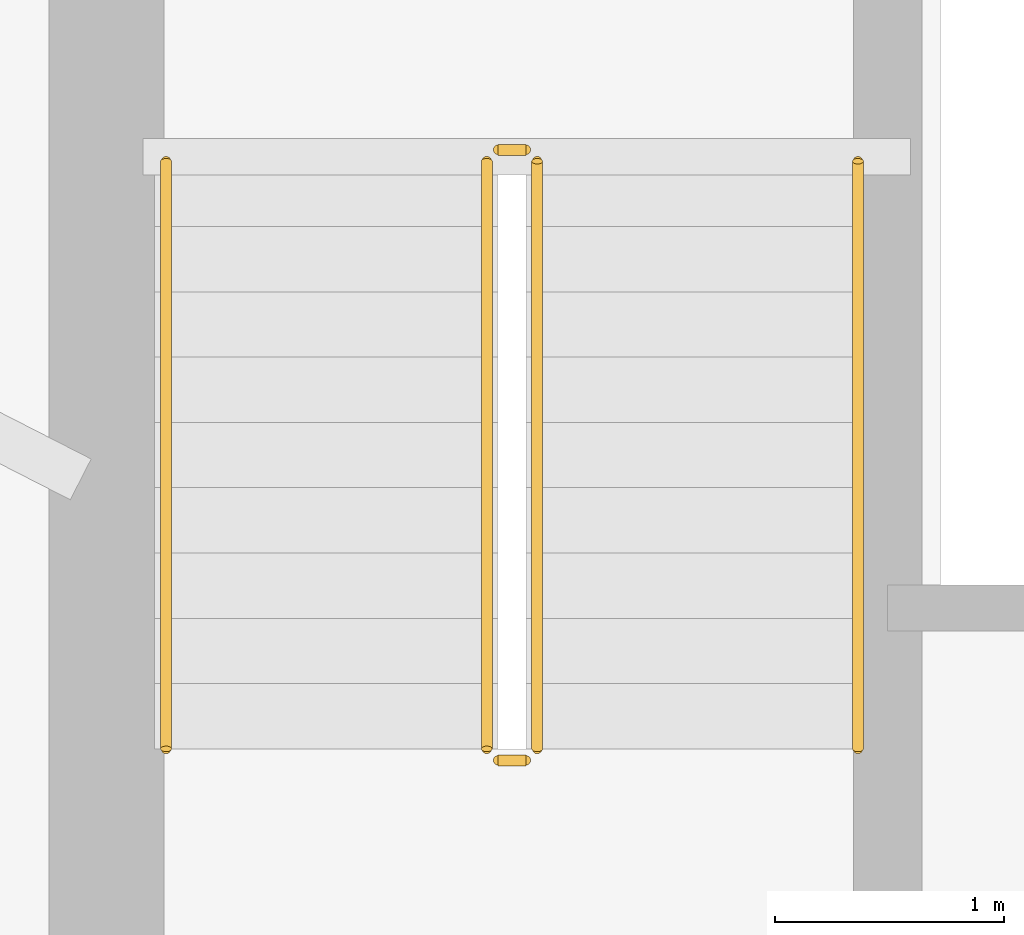
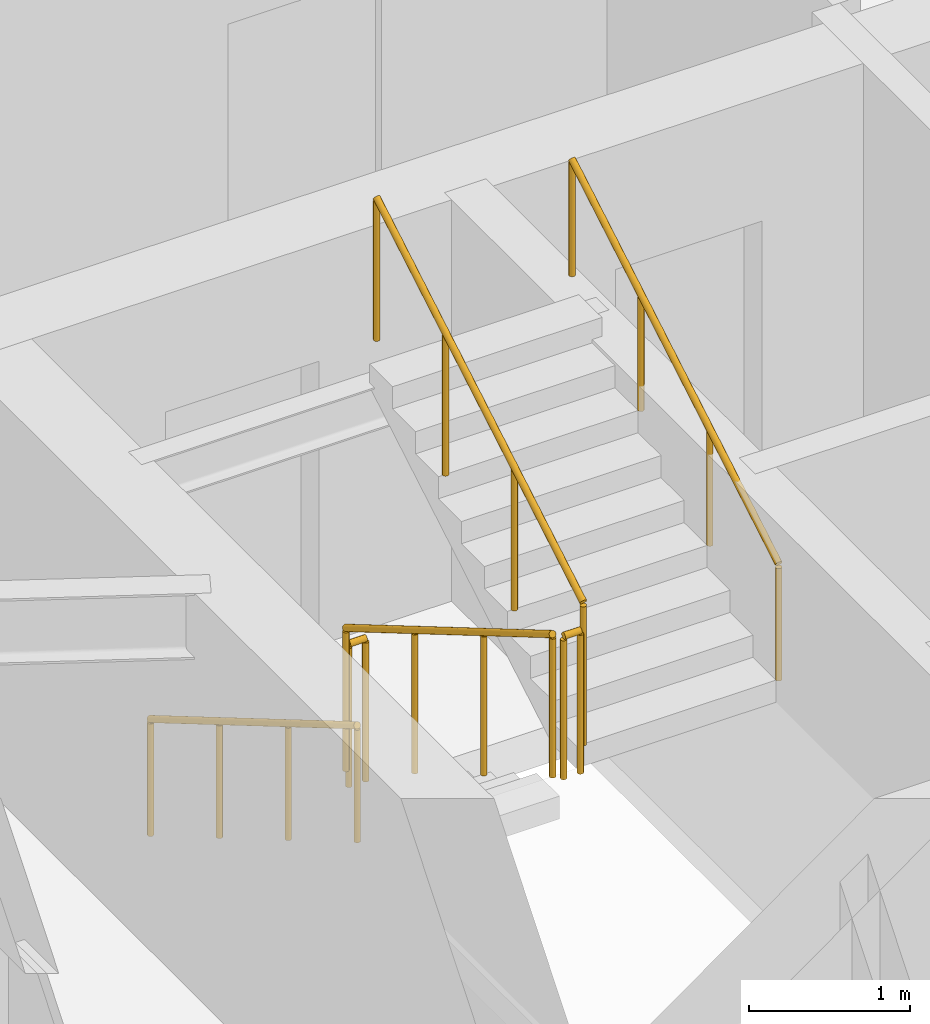
# One storey, part 17 of 19: 6 railings.
"""IFC4 building model written with IfcOpenShell, lengths in metres."""

from ifc_helpers import new_model, si_unit, direction, frame, origin, origin_2d, place, context, subcontext, project, spatial, circle, extrude, material, type_object, element, save


model = new_model("IFC4")

# Units and contexts
model_context = context("Model", 3, precision=1e-05, world=origin(), true_north=direction((0.0, 1.0)))
body_context = subcontext(model_context, "Body", "Model", "MODEL_VIEW")
ifc_project = project(units=[si_unit("LENGTHUNIT", "METRE"), si_unit("AREAUNIT", "SQUARE_METRE"), si_unit("VOLUMEUNIT", "CUBIC_METRE"), si_unit("PLANEANGLEUNIT", "RADIAN"), si_unit("MASSUNIT", "GRAM", prefix="KILO")], contexts=[model_context])

# Site, building, storey
site_placement = place(None, origin())
site = spatial("IfcSite", under=ifc_project, at=site_placement, CompositionType="ELEMENT")
building_placement = place(site_placement, origin())
building = spatial("IfcBuilding", under=site, at=building_placement, Name="Qobustan Lattice House", CompositionType="ELEMENT")
storey_placement = place(building_placement, frame((0.0, 0.0, 131.0)))
storey = spatial("IfcBuildingStorey", under=building, at=storey_placement, Name="L36", CompositionType="ELEMENT", Elevation=131.0)

# Railings
ifc_material_1 = material(Name="Brushed stainless steel handrail", Category="steel")
railing_type_1 = type_object("IfcRailingType", Name="RAL-HR-920", PredefinedType="HANDRAIL", material=ifc_material_1)
railing_1_placement = place(storey_placement, frame((-18.199951171875, 3.5, 0.16748046875)))
element("IfcRailing", 1, at=railing_1_placement, inside=storey, type_object=railing_type_1, Name="L36 ST-W1 stair handrail 1", PredefinedType="HANDRAIL", context=body_context, shape_type="SweptSolid", body=[
    extrude(circle(Radius=0.02392578125, at=origin_2d()), frame((0.0, 0.0, 0.8759765625), z_axis=(0.0, -0.862113467892, 0.50671527358), x_axis=(1.0, 0.0, 0.0)), (0.0, 0.0, 1.0), 2.97509765625),
    extrude(circle(Radius=0.02099609375, at=origin_2d()), origin(), (0.0, 0.0, 1.0), 0.851806640625),
    extrude(circle(Radius=0.02099609375, at=origin_2d()), frame((0.0, -0.85498046875, 0.50244140625)), (0.0, 0.0, 1.0), 0.851806640625),
    extrude(circle(Radius=0.02099609375, at=origin_2d()), frame((0.0, -1.7099609375, 1.005126953125)), (0.0, 0.0, 1.0), 0.851806640625),
    extrude(circle(Radius=0.02099609375, at=origin_2d()), frame((0.0, -2.56494140625, 1.507568359375)), (0.0, 0.0, 1.0), 0.851806640625),
])
railing_2_placement = place(storey_placement, frame((-15.179931640625, 0.93505859375, 1.842529296875)))
element("IfcRailing", 2, at=railing_2_placement, inside=storey, type_object=railing_type_1, Name="L36 ST-W1 stair handrail 2", PredefinedType="HANDRAIL", context=body_context, shape_type="SweptSolid", body=[
    extrude(circle(Radius=0.02392578125, at=origin_2d()), frame((0.0, 0.0, 0.8759765625), z_axis=(0.0, 0.862113467892, 0.50671527358), x_axis=(-1.0, 0.0, 0.0)), (0.0, 0.0, 1.0), 2.97509765625),
    extrude(circle(Radius=0.02099609375, at=origin_2d()), origin(), (0.0, 0.0, 1.0), 0.851806640625),
    extrude(circle(Radius=0.02099609375, at=origin_2d()), frame((0.0, 0.85498046875, 0.50244140625)), (0.0, 0.0, 1.0), 0.851806640625),
    extrude(circle(Radius=0.02099609375, at=origin_2d()), frame((0.0, 1.7099609375, 1.005126953125)), (0.0, 0.0, 1.0), 0.851806640625),
    extrude(circle(Radius=0.02099609375, at=origin_2d()), frame((0.0, 2.56494140625, 1.507568359375)), (0.0, 0.0, 1.0), 0.851806640625),
])
ifc_material_2 = material(Name="Painted galvanized steel guardrail", Category="steel")
railing_type_2 = type_object("IfcRailingType", Name="RAL-STG-1150", PredefinedType="GUARDRAIL", material=ifc_material_2)
railing_3_placement = place(storey_placement, frame((-16.800048828125, 3.5, 0.16748046875)))
element("IfcRailing", 3, at=railing_3_placement, inside=storey, type_object=railing_type_2, Name="L36 ST-W1 stair guard 1", PredefinedType="GUARDRAIL", context=body_context, shape_type="SweptSolid", body=[
    extrude(circle(Radius=0.02392578125, at=origin_2d()), frame((0.0, 0.0, 1.076171875), z_axis=(0.0, -0.862113467892, 0.50671527358), x_axis=(1.0, 0.0, 0.0)), (0.0, 0.0, 1.0), 2.97509765625),
    extrude(circle(Radius=0.02099609375, at=origin_2d()), origin(), (0.0, 0.0, 1.0), 1.052001953125),
    extrude(circle(Radius=0.02099609375, at=origin_2d()), frame((0.0, -0.85498046875, 0.50244140625)), (0.0, 0.0, 1.0), 1.052001953125),
    extrude(circle(Radius=0.02099609375, at=origin_2d()), frame((0.0, -1.7099609375, 1.005126953125)), (0.0, 0.0, 1.0), 1.052001953125),
    extrude(circle(Radius=0.02099609375, at=origin_2d()), frame((0.0, -2.56494140625, 1.507568359375)), (0.0, 0.0, 1.0), 1.052001953125),
])
railing_4_placement = place(storey_placement, frame((-16.75, 0.885009765625, 1.675048828125)))
element("IfcRailing", 4, at=railing_4_placement, inside=storey, type_object=railing_type_2, Name="L36 ST-W1 stair guard 2", PredefinedType="GUARDRAIL", context=body_context, shape_type="SweptSolid", body=[
    extrude(circle(Radius=0.02392578125, at=origin_2d()), frame((0.0, 0.0, 1.076171875), z_axis=(1.0, 0.0, 0.0), x_axis=(0.0, 1.0, 0.0)), (0.0, 0.0, 1.0), 0.1201171875),
    extrude(circle(Radius=0.02099609375, at=origin_2d()), origin(), (0.0, 0.0, 1.0), 1.052001953125),
    extrude(circle(Radius=0.02099609375, at=origin_2d()), frame((0.1201171875, 0.0, 0.0)), (0.0, 0.0, 1.0), 1.052001953125),
])
railing_5_placement = place(storey_placement, frame((-16.580078125, 0.93505859375, 1.842529296875)))
element("IfcRailing", 5, at=railing_5_placement, inside=storey, type_object=railing_type_2, Name="L36 ST-W1 stair guard 3", PredefinedType="GUARDRAIL", context=body_context, shape_type="SweptSolid", body=[
    extrude(circle(Radius=0.02392578125, at=origin_2d()), frame((0.0, 0.0, 1.076171875), z_axis=(0.0, 0.862113467892, 0.50671527358), x_axis=(-1.0, 0.0, 0.0)), (0.0, 0.0, 1.0), 2.97509765625),
    extrude(circle(Radius=0.02099609375, at=origin_2d()), origin(), (0.0, 0.0, 1.0), 1.052001953125),
    extrude(circle(Radius=0.02099609375, at=origin_2d()), frame((0.0, 0.85498046875, 0.50244140625)), (0.0, 0.0, 1.0), 1.052001953125),
    extrude(circle(Radius=0.02099609375, at=origin_2d()), frame((0.0, 1.7099609375, 1.005126953125)), (0.0, 0.0, 1.0), 1.052001953125),
    extrude(circle(Radius=0.02099609375, at=origin_2d()), frame((0.0, 2.56494140625, 1.507568359375)), (0.0, 0.0, 1.0), 1.052001953125),
])
railing_6_placement = place(storey_placement, frame((-16.75, 3.550048828125, 0.0)))
element("IfcRailing", 6, at=railing_6_placement, inside=storey, type_object=railing_type_2, Name="L36 ST-W1 stair guard 4", PredefinedType="GUARDRAIL", context=body_context, shape_type="SweptSolid", body=[
    extrude(circle(Radius=0.02392578125, at=origin_2d()), frame((0.0, 0.0, 1.076171875), z_axis=(1.0, 0.0, 0.0), x_axis=(0.0, 1.0, 0.0)), (0.0, 0.0, 1.0), 0.1201171875),
    extrude(circle(Radius=0.02099609375, at=origin_2d()), origin(), (0.0, 0.0, 1.0), 1.052001953125),
    extrude(circle(Radius=0.02099609375, at=origin_2d()), frame((0.1201171875, 0.0, 0.0)), (0.0, 0.0, 1.0), 1.052001953125),
])

save(model, "model.ifc")
